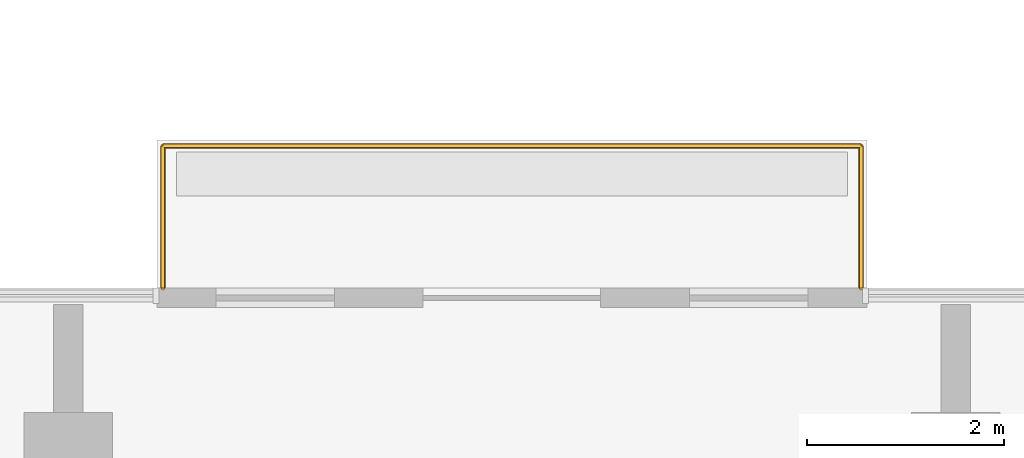
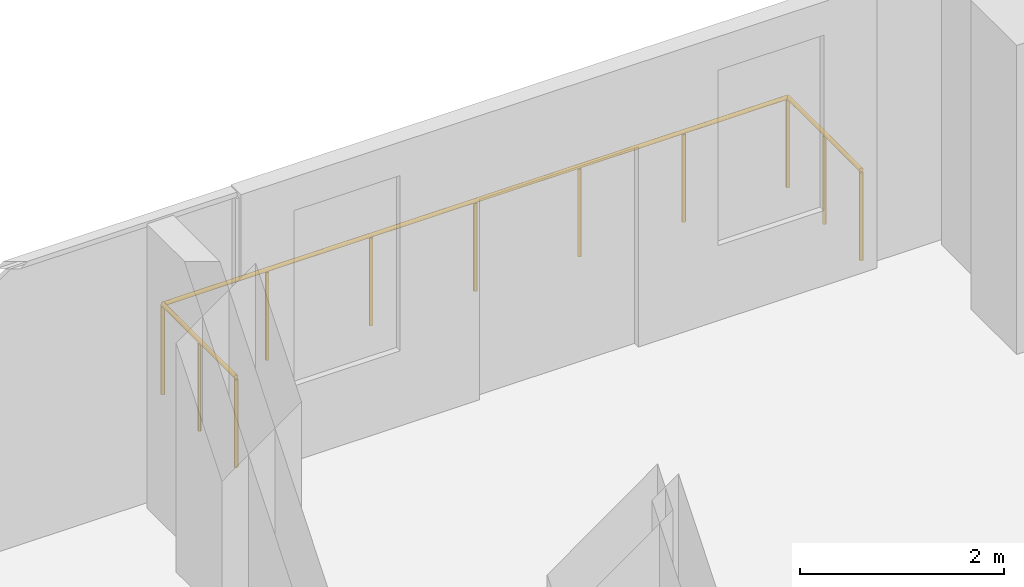
# One storey, part 19 of 19: 1 railing.
"""IFC4 building model written with IfcOpenShell, lengths in metres."""

from ifc_helpers import new_model, si_unit, direction, frame, origin, origin_2d, place, context, subcontext, project, spatial, circle, extrude, material, type_object, element, save


model = new_model("IFC4")

# Units and contexts
model_context = context("Model", 3, precision=1e-05, world=origin(), true_north=direction((0.0, 1.0)))
body_context = subcontext(model_context, "Body", "Model", "MODEL_VIEW")
ifc_project = project(units=[si_unit("LENGTHUNIT", "METRE"), si_unit("AREAUNIT", "SQUARE_METRE"), si_unit("VOLUMEUNIT", "CUBIC_METRE"), si_unit("PLANEANGLEUNIT", "RADIAN"), si_unit("MASSUNIT", "GRAM", prefix="KILO")], contexts=[model_context])

# Site, building, storey
site_placement = place(None, origin())
site = spatial("IfcSite", under=ifc_project, at=site_placement, CompositionType="ELEMENT")
building_placement = place(site_placement, origin())
building = spatial("IfcBuilding", under=site, at=building_placement, Name="Ogive Portal Towers", CompositionType="ELEMENT")
storey_placement = place(building_placement, frame((0.0, 0.0, 199.5)))
storey = spatial("IfcBuildingStorey", under=building, at=storey_placement, Name="L49", CompositionType="ELEMENT", Elevation=199.5)

# Railing
ifc_material = material(Name="Steel S355", Category="steel")
railing_type = type_object("IfcRailingType", Name="BALUSTRADE GLASS 1100", PredefinedType="BALUSTRADE", material=ifc_material)
railing_placement = place(storey_placement, frame((68.4599609375, 41.215087890625, 0.0)))
element("IfcRailing", 1, at=railing_placement, inside=storey, type_object=railing_type, Name="A:L49:bal:T2:rail", PredefinedType="BALUSTRADE", context=body_context, shape_type="SweptSolid", body=[
    extrude(circle(Radius=0.02392578125, at=origin_2d()), frame((0.0, 0.0, 1.076171875), z_axis=(0.0, 1.0, 0.0), x_axis=(-1.0, 0.0, 0.0)), (0.0, 0.0, 1.0), 1.43994140625),
    extrude(circle(Radius=0.02392578125, at=origin_2d()), frame((0.0, 1.43994140625, 1.076171875), z_axis=(1.0, 0.0, 0.0), x_axis=(0.0, 1.0, 0.0)), (0.0, 0.0, 1.0), 7.080078125),
    extrude(circle(Radius=0.02392578125, at=origin_2d()), frame((7.080078125, 1.43994140625, 1.076171875), z_axis=(0.0, -1.0, 0.0), x_axis=(1.0, 0.0, 0.0)), (0.0, 0.0, 1.0), 1.43994140625),
    extrude(circle(Radius=0.02099609375, at=origin_2d()), origin(), (0.0, 0.0, 1.0), 1.052001953125),
    extrude(circle(Radius=0.02099609375, at=origin_2d()), frame((0.0, 0.719970703125, 0.0)), (0.0, 0.0, 1.0), 1.052001953125),
    extrude(circle(Radius=0.02099609375, at=origin_2d()), frame((0.0, 1.43994140625, 0.0)), (0.0, 0.0, 1.0), 1.052001953125),
    extrude(circle(Radius=0.02099609375, at=origin_2d()), frame((1.179931640625, 1.43994140625, 0.0)), (0.0, 0.0, 1.0), 1.052001953125),
    extrude(circle(Radius=0.02099609375, at=origin_2d()), frame((2.360107421875, 1.43994140625, 0.0)), (0.0, 0.0, 1.0), 1.052001953125),
    extrude(circle(Radius=0.02099609375, at=origin_2d()), frame((3.5400390625, 1.43994140625, 0.0)), (0.0, 0.0, 1.0), 1.052001953125),
    extrude(circle(Radius=0.02099609375, at=origin_2d()), frame((4.719970703125, 1.43994140625, 0.0)), (0.0, 0.0, 1.0), 1.052001953125),
    extrude(circle(Radius=0.02099609375, at=origin_2d()), frame((5.900146484375, 1.43994140625, 0.0)), (0.0, 0.0, 1.0), 1.052001953125),
    extrude(circle(Radius=0.02099609375, at=origin_2d()), frame((7.080078125, 1.43994140625, 0.0)), (0.0, 0.0, 1.0), 1.052001953125),
    extrude(circle(Radius=0.02099609375, at=origin_2d()), frame((7.080078125, 0.719970703125, 0.0)), (0.0, 0.0, 1.0), 1.052001953125),
    extrude(circle(Radius=0.02099609375, at=origin_2d()), frame((7.080078125, 0.0, 0.0)), (0.0, 0.0, 1.0), 1.052001953125),
])

save(model, "model.ifc")
